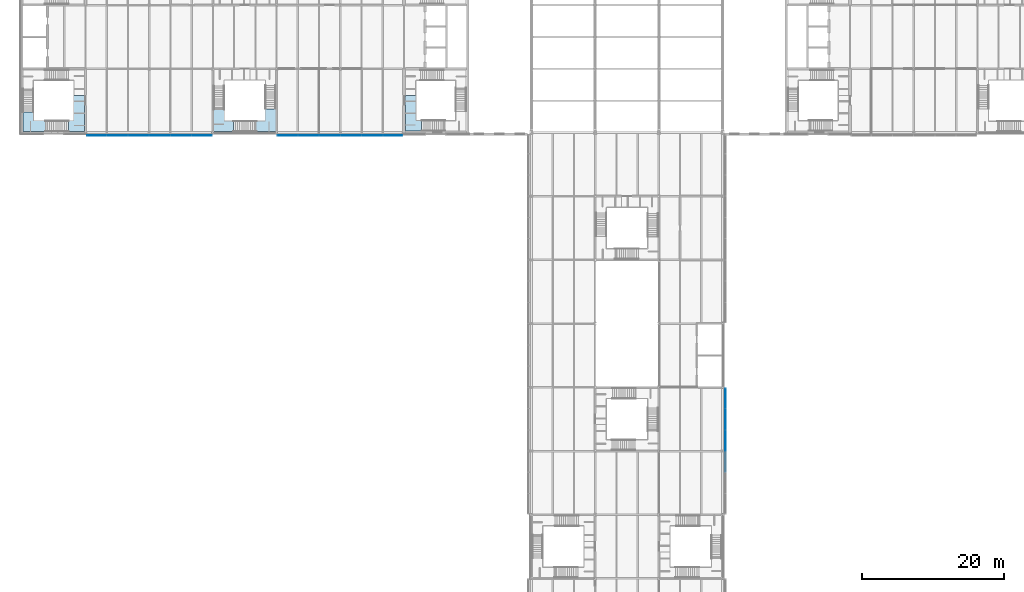
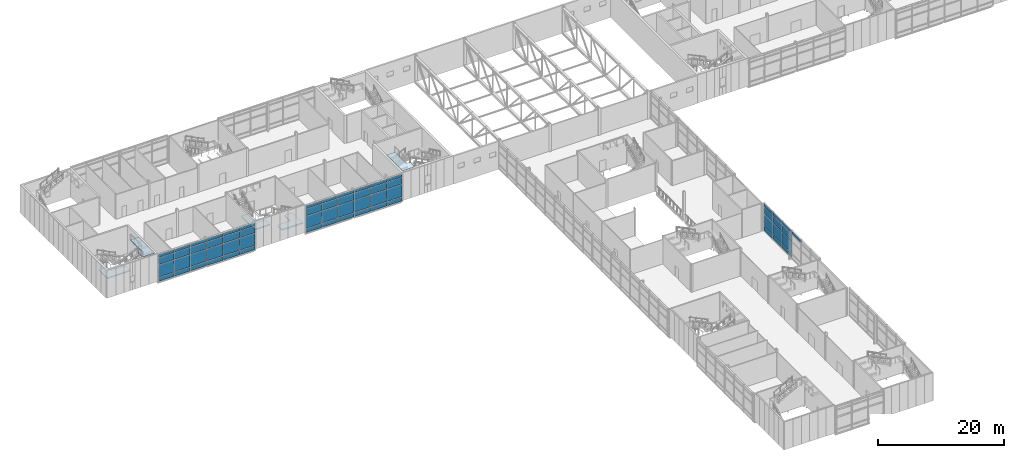
# One storey, part 30 of 53: 61 plates, 5 slabs, 6 elements without a shape of their own.
"""IFC4 building model written with IfcOpenShell, lengths in metres."""

from ifc_helpers import new_model, si_unit, direction, frame, origin, origin_2d, place, context, subcontext, project, spatial, polyline, rectangle, outline, extrude, material, layer, layer_set, type_object, element, aggregate, save


model = new_model("IFC4")

# Units and contexts
model_context = context("Model", 3, precision=1e-05, world=origin(), true_north=direction((0.0, 1.0)))
body_context = subcontext(model_context, "Body", "Model", "MODEL_VIEW")
ifc_project = project(units=[si_unit("LENGTHUNIT", "METRE"), si_unit("AREAUNIT", "SQUARE_METRE"), si_unit("VOLUMEUNIT", "CUBIC_METRE"), si_unit("PLANEANGLEUNIT", "RADIAN"), si_unit("MASSUNIT", "GRAM", prefix="KILO")], contexts=[model_context])

# Site, building, storey
site_placement = place(None, origin())
site = spatial("IfcSite", under=ifc_project, at=site_placement, CompositionType="ELEMENT")
building_placement = place(site_placement, origin())
building = spatial("IfcBuilding", under=site, at=building_placement, Name="Azimuth Sports and Learning Centre", CompositionType="ELEMENT")
storey_placement = place(building_placement, frame((0.0, 0.0, 10.800048828125)))
storey = spatial("IfcBuildingStorey", under=building, at=storey_placement, Name="L02", CompositionType="ELEMENT", Elevation=10.800048828125)

# Stair, slab
ifc_material_1 = material(Name="Concrete C32/40", Category="concrete")
stair_type_1 = type_object("IfcStairType", Name="Square-well stair core 5400 storey", PredefinedType="THREE_QUARTER_TURN_STAIR", material=ifc_material_1)
stair_1_placement = place(storey_placement, origin())
stair_1 = element("IfcStair", 1, at=stair_1_placement, inside=storey, type_object=stair_type_1, Name="Stair W1 L02-L03", PredefinedType="THREE_QUARTER_TURN_STAIR")
ifc_material_2 = material(Name="Concrete C32/40", Category="concrete")
ifc_layer_1 = layer(ifc_material_2, 0.199951171875)
ifc_layer_set_1 = layer_set([ifc_layer_1], Name="Concrete C32/40")
slab_type = type_object("IfcSlabType", Name="Concrete stair landing", PredefinedType="LANDING", material=ifc_layer_set_1)
slab_1_placement = place(storey_placement, frame((0.0, 0.0, 5.199951171875)))
slab_1 = element("IfcSlab", 2, at=slab_1_placement, type_object=slab_type, Name="Stair W1 L02 landing 4", PredefinedType="LANDING", context=body_context, shape_type="SweptSolid", body=[
    extrude(outline(polyline([(55.7099609375, 91.7099609375), (55.7099609375, 95.25), (54.2099609375, 95.25), (54.2099609375, 90.2099609375), (56.49072265625, 90.2099609375), (56.49072265625, 91.7099609375), (55.7099609375, 91.7099609375)])), origin(), (0.0, 0.0, 1.0), 0.199951171875),
])
aggregate(stair_1, [slab_1])

# Stair, slabs
ifc_material_3 = material(Name="Concrete C32/40", Category="concrete")
stair_type_2 = type_object("IfcStairType", Name="Square-well stair end core 5400 storey", PredefinedType="THREE_QUARTER_TURN_STAIR", material=ifc_material_3)
stair_2_placement = place(storey_placement, origin())
stair_2 = element("IfcStair", 3, at=stair_2_placement, inside=storey, type_object=stair_type_2, Name="Stair WW1 L02-L03", PredefinedType="THREE_QUARTER_TURN_STAIR")
slab_2_placement = place(storey_placement, frame((0.0, 0.0, 3.39990234375)))
slab_2 = element("IfcSlab", 4, at=slab_2_placement, type_object=slab_type, Name="Stair WW1 L02 landing 3", PredefinedType="LANDING", context=body_context, shape_type="SweptSolid", body=[
    extrude(outline(polyline([(1.659912109375, 91.659912109375), (1.659912109375, 92.86572265625), (0.159912109375, 92.86572265625), (0.159912109375, 90.159912109375), (4.409912109375, 90.159912109375), (4.409912109375, 91.659912109375), (1.659912109375, 91.659912109375)])), origin(), (0.0, 0.0, 1.0), 0.199951171875),
])
slab_3_placement = place(storey_placement, frame((0.0, 0.0, 5.199951171875)))
slab_3 = element("IfcSlab", 5, at=slab_3_placement, type_object=slab_type, Name="Stair WW1 L02 landing 4", PredefinedType="LANDING", context=body_context, shape_type="SweptSolid", body=[
    extrude(outline(polyline([(7.340087890625, 91.659912109375), (6.609375, 91.659912109375), (6.609375, 90.159912109375), (8.840087890625, 90.159912109375), (8.840087890625, 95.25), (7.340087890625, 95.25), (7.340087890625, 91.659912109375)])), origin(), (0.0, 0.0, 1.0), 0.199951171875),
])
aggregate(stair_2, [slab_2, slab_3])

ifc_material_4 = material(Name="Concrete C32/40", Category="concrete")
stair_type_3 = type_object("IfcStairType", Name="Square-well stair mid-wing cell 5400 storey", PredefinedType="THREE_QUARTER_TURN_STAIR", material=ifc_material_4)
stair_3_placement = place(storey_placement, origin())
stair_3 = element("IfcStair", 6, at=stair_3_placement, inside=storey, type_object=stair_type_3, Name="Stair WM1 L02-L03", PredefinedType="THREE_QUARTER_TURN_STAIR")
slab_4_placement = place(storey_placement, frame((0.0, 0.0, 1.599853515625)))
slab_4 = element("IfcSlab", 7, at=slab_4_placement, type_object=slab_type, Name="Stair WM1 L02 landing 2", PredefinedType="LANDING", context=body_context, shape_type="SweptSolid", body=[
    extrude(outline(polyline([(34.389892578125, 91.610107421875), (32.090087890625, 91.610107421875), (32.090087890625, 90.110107421875), (35.889892578125, 90.110107421875), (35.889892578125, 93.3408203125), (34.389892578125, 93.3408203125), (34.389892578125, 91.610107421875)])), origin(), (0.0, 0.0, 1.0), 0.2001953125),
])
slab_5_placement = place(storey_placement, frame((0.0, 0.0, 3.39990234375)))
slab_5 = element("IfcSlab", 8, at=slab_5_placement, type_object=slab_type, Name="Stair WM1 L02 landing 3", PredefinedType="LANDING", context=body_context, shape_type="SweptSolid", body=[
    extrude(outline(polyline([(28.610107421875, 91.610107421875), (28.610107421875, 94.360107421875), (27.110107421875, 94.360107421875), (27.110107421875, 90.110107421875), (29.890625, 90.110107421875), (29.890625, 91.610107421875), (28.610107421875, 91.610107421875)])), origin(), (0.0, 0.0, 1.0), 0.199951171875),
])
aggregate(stair_3, [slab_4, slab_5])

# Curtain wall, plates
ifc_material_5 = material(Name="Aluminium and glass", Category="aluminium")
curtain_wall_type_1 = type_object("IfcCurtainWallType", Name="Curtain wall podium wing 240", PredefinedType="NOTDEFINED", material=ifc_material_5)
curtain_wall_1_placement = place(storey_placement, origin())
curtain_wall_1 = element("IfcCurtainWall", 9, at=curtain_wall_1_placement, inside=storey, type_object=curtain_wall_type_1, Name="Curtain wall CW02-001", PredefinedType="NOTDEFINED")
ifc_material_6 = material(Name="Insulated aluminium panel", Category="aluminium")
ifc_layer_2 = layer(ifc_material_6, 0.06005859375)
ifc_layer_set_2 = layer_set([ifc_layer_2], Name="Insulated aluminium panel")
plate_type_1 = type_object("IfcPlateType", Name="Spandrel panel 60 mm", PredefinedType="CURTAIN_PANEL", material=ifc_layer_set_2)
plate_1_placement = place(storey_placement, frame((10.594970703125, 89.580078125, 0.1201171875), z_axis=(0.0, 0.0, 1.0), x_axis=(1.0, 0.0, 0.0)))
plate_1 = element("IfcPlate", 10, at=plate_1_placement, type_object=plate_type_1, Name="CW02-001 panel 1.1", PredefinedType="CURTAIN_PANEL", context=body_context, shape_type="SweptSolid", body=[
    extrude(rectangle(XDim=2.72998046875, YDim=0.06005859375, at=origin_2d()), origin(), (0.0, 0.0, 1.0), 0.719970703125),
])
plate_2_placement = place(storey_placement, frame((10.594970703125, 89.580078125, 4.760009765625), z_axis=(0.0, 0.0, 1.0), x_axis=(1.0, 0.0, 0.0)))
plate_2 = element("IfcPlate", 11, at=plate_2_placement, type_object=plate_type_1, Name="CW02-001 panel 1.4", PredefinedType="CURTAIN_PANEL", context=body_context, shape_type="SweptSolid", body=[
    extrude(rectangle(XDim=2.72998046875, YDim=0.06005859375, at=origin_2d()), origin(), (0.0, 0.0, 1.0), 0.52001953125),
])
plate_3_placement = place(storey_placement, frame((13.5, 89.580078125, 0.1201171875), z_axis=(0.0, 0.0, 1.0), x_axis=(1.0, 0.0, 0.0)))
plate_3 = element("IfcPlate", 12, at=plate_3_placement, type_object=plate_type_1, Name="CW02-001 panel 2.1", PredefinedType="CURTAIN_PANEL", context=body_context, shape_type="SweptSolid", body=[
    extrude(rectangle(XDim=2.919921875, YDim=0.06005859375, at=origin_2d()), origin(), (0.0, 0.0, 1.0), 0.719970703125),
])
plate_4_placement = place(storey_placement, frame((13.5, 89.580078125, 4.760009765625), z_axis=(0.0, 0.0, 1.0), x_axis=(1.0, 0.0, 0.0)))
plate_4 = element("IfcPlate", 13, at=plate_4_placement, type_object=plate_type_1, Name="CW02-001 panel 2.4", PredefinedType="CURTAIN_PANEL", context=body_context, shape_type="SweptSolid", body=[
    extrude(rectangle(XDim=2.919921875, YDim=0.06005859375, at=origin_2d()), origin(), (0.0, 0.0, 1.0), 0.52001953125),
])
plate_5_placement = place(storey_placement, frame((16.5, 89.580078125, 0.1201171875), z_axis=(0.0, 0.0, 1.0), x_axis=(1.0, 0.0, 0.0)))
plate_5 = element("IfcPlate", 14, at=plate_5_placement, type_object=plate_type_1, Name="CW02-001 panel 3.1", PredefinedType="CURTAIN_PANEL", context=body_context, shape_type="SweptSolid", body=[
    extrude(rectangle(XDim=2.919921875, YDim=0.06005859375, at=origin_2d()), origin(), (0.0, 0.0, 1.0), 0.719970703125),
])
plate_6_placement = place(storey_placement, frame((16.5, 89.580078125, 4.760009765625), z_axis=(0.0, 0.0, 1.0), x_axis=(1.0, 0.0, 0.0)))
plate_6 = element("IfcPlate", 15, at=plate_6_placement, type_object=plate_type_1, Name="CW02-001 panel 3.4", PredefinedType="CURTAIN_PANEL", context=body_context, shape_type="SweptSolid", body=[
    extrude(rectangle(XDim=2.919921875, YDim=0.06005859375, at=origin_2d()), origin(), (0.0, 0.0, 1.0), 0.52001953125),
])
plate_7_placement = place(storey_placement, frame((19.5, 89.580078125, 0.1201171875), z_axis=(0.0, 0.0, 1.0), x_axis=(1.0, 0.0, 0.0)))
plate_7 = element("IfcPlate", 16, at=plate_7_placement, type_object=plate_type_1, Name="CW02-001 panel 4.1", PredefinedType="CURTAIN_PANEL", context=body_context, shape_type="SweptSolid", body=[
    extrude(rectangle(XDim=2.919921875, YDim=0.06005859375, at=origin_2d()), origin(), (0.0, 0.0, 1.0), 0.719970703125),
])
plate_8_placement = place(storey_placement, frame((19.5, 89.580078125, 4.760009765625), z_axis=(0.0, 0.0, 1.0), x_axis=(1.0, 0.0, 0.0)))
plate_8 = element("IfcPlate", 17, at=plate_8_placement, type_object=plate_type_1, Name="CW02-001 panel 4.4", PredefinedType="CURTAIN_PANEL", context=body_context, shape_type="SweptSolid", body=[
    extrude(rectangle(XDim=2.919921875, YDim=0.06005859375, at=origin_2d()), origin(), (0.0, 0.0, 1.0), 0.52001953125),
])
plate_9_placement = place(storey_placement, frame((22.5, 89.580078125, 0.1201171875), z_axis=(0.0, 0.0, 1.0), x_axis=(1.0, 0.0, 0.0)))
plate_9 = element("IfcPlate", 18, at=plate_9_placement, type_object=plate_type_1, Name="CW02-001 panel 5.1", PredefinedType="CURTAIN_PANEL", context=body_context, shape_type="SweptSolid", body=[
    extrude(rectangle(XDim=2.919921875, YDim=0.06005859375, at=origin_2d()), origin(), (0.0, 0.0, 1.0), 0.719970703125),
])
plate_10_placement = place(storey_placement, frame((22.5, 89.580078125, 4.760009765625), z_axis=(0.0, 0.0, 1.0), x_axis=(1.0, 0.0, 0.0)))
plate_10 = element("IfcPlate", 19, at=plate_10_placement, type_object=plate_type_1, Name="CW02-001 panel 5.4", PredefinedType="CURTAIN_PANEL", context=body_context, shape_type="SweptSolid", body=[
    extrude(rectangle(XDim=2.919921875, YDim=0.06005859375, at=origin_2d()), origin(), (0.0, 0.0, 1.0), 0.52001953125),
])
plate_11_placement = place(storey_placement, frame((25.429931640625, 89.580078125, 0.1201171875), z_axis=(0.0, 0.0, 1.0), x_axis=(1.0, 0.0, 0.0)))
plate_11 = element("IfcPlate", 20, at=plate_11_placement, type_object=plate_type_1, Name="CW02-001 panel 6.1", PredefinedType="CURTAIN_PANEL", context=body_context, shape_type="SweptSolid", body=[
    extrude(rectangle(XDim=2.780029296875, YDim=0.06005859375, at=origin_2d()), origin(), (0.0, 0.0, 1.0), 0.719970703125),
])
plate_12_placement = place(storey_placement, frame((25.429931640625, 89.580078125, 4.760009765625), z_axis=(0.0, 0.0, 1.0), x_axis=(1.0, 0.0, 0.0)))
plate_12 = element("IfcPlate", 21, at=plate_12_placement, type_object=plate_type_1, Name="CW02-001 panel 6.4", PredefinedType="CURTAIN_PANEL", context=body_context, shape_type="SweptSolid", body=[
    extrude(rectangle(XDim=2.780029296875, YDim=0.06005859375, at=origin_2d()), origin(), (0.0, 0.0, 1.0), 0.52001953125),
])

curtain_wall_2_placement = place(storey_placement, origin())
curtain_wall_2 = element("IfcCurtainWall", 22, at=curtain_wall_2_placement, inside=storey, type_object=curtain_wall_type_1, Name="Curtain wall CW02-002", PredefinedType="NOTDEFINED")
plate_13_placement = place(storey_placement, frame((37.570068359375, 89.580078125, 0.1201171875), z_axis=(0.0, 0.0, 1.0), x_axis=(1.0, 0.0, 0.0)))
plate_13 = element("IfcPlate", 23, at=plate_13_placement, type_object=plate_type_1, Name="CW02-002 panel 1.1", PredefinedType="CURTAIN_PANEL", context=body_context, shape_type="SweptSolid", body=[
    extrude(rectangle(XDim=2.780029296875, YDim=0.06005859375, at=origin_2d()), origin(), (0.0, 0.0, 1.0), 0.719970703125),
])
plate_14_placement = place(storey_placement, frame((37.570068359375, 89.580078125, 4.760009765625), z_axis=(0.0, 0.0, 1.0), x_axis=(1.0, 0.0, 0.0)))
plate_14 = element("IfcPlate", 24, at=plate_14_placement, type_object=plate_type_1, Name="CW02-002 panel 1.4", PredefinedType="CURTAIN_PANEL", context=body_context, shape_type="SweptSolid", body=[
    extrude(rectangle(XDim=2.780029296875, YDim=0.06005859375, at=origin_2d()), origin(), (0.0, 0.0, 1.0), 0.52001953125),
])
plate_15_placement = place(storey_placement, frame((40.5, 89.580078125, 0.1201171875), z_axis=(0.0, 0.0, 1.0), x_axis=(1.0, 0.0, 0.0)))
plate_15 = element("IfcPlate", 25, at=plate_15_placement, type_object=plate_type_1, Name="CW02-002 panel 2.1", PredefinedType="CURTAIN_PANEL", context=body_context, shape_type="SweptSolid", body=[
    extrude(rectangle(XDim=2.919921875, YDim=0.06005859375, at=origin_2d()), origin(), (0.0, 0.0, 1.0), 0.719970703125),
])
plate_16_placement = place(storey_placement, frame((40.5, 89.580078125, 4.760009765625), z_axis=(0.0, 0.0, 1.0), x_axis=(1.0, 0.0, 0.0)))
plate_16 = element("IfcPlate", 26, at=plate_16_placement, type_object=plate_type_1, Name="CW02-002 panel 2.4", PredefinedType="CURTAIN_PANEL", context=body_context, shape_type="SweptSolid", body=[
    extrude(rectangle(XDim=2.919921875, YDim=0.06005859375, at=origin_2d()), origin(), (0.0, 0.0, 1.0), 0.52001953125),
])
plate_17_placement = place(storey_placement, frame((43.5, 89.580078125, 0.1201171875), z_axis=(0.0, 0.0, 1.0), x_axis=(1.0, 0.0, 0.0)))
plate_17 = element("IfcPlate", 27, at=plate_17_placement, type_object=plate_type_1, Name="CW02-002 panel 3.1", PredefinedType="CURTAIN_PANEL", context=body_context, shape_type="SweptSolid", body=[
    extrude(rectangle(XDim=2.919921875, YDim=0.06005859375, at=origin_2d()), origin(), (0.0, 0.0, 1.0), 0.719970703125),
])
plate_18_placement = place(storey_placement, frame((43.5, 89.580078125, 4.760009765625), z_axis=(0.0, 0.0, 1.0), x_axis=(1.0, 0.0, 0.0)))
plate_18 = element("IfcPlate", 28, at=plate_18_placement, type_object=plate_type_1, Name="CW02-002 panel 3.4", PredefinedType="CURTAIN_PANEL", context=body_context, shape_type="SweptSolid", body=[
    extrude(rectangle(XDim=2.919921875, YDim=0.06005859375, at=origin_2d()), origin(), (0.0, 0.0, 1.0), 0.52001953125),
])
plate_19_placement = place(storey_placement, frame((46.5, 89.580078125, 0.1201171875), z_axis=(0.0, 0.0, 1.0), x_axis=(1.0, 0.0, 0.0)))
plate_19 = element("IfcPlate", 29, at=plate_19_placement, type_object=plate_type_1, Name="CW02-002 panel 4.1", PredefinedType="CURTAIN_PANEL", context=body_context, shape_type="SweptSolid", body=[
    extrude(rectangle(XDim=2.919921875, YDim=0.06005859375, at=origin_2d()), origin(), (0.0, 0.0, 1.0), 0.719970703125),
])
plate_20_placement = place(storey_placement, frame((46.5, 89.580078125, 4.760009765625), z_axis=(0.0, 0.0, 1.0), x_axis=(1.0, 0.0, 0.0)))
plate_20 = element("IfcPlate", 30, at=plate_20_placement, type_object=plate_type_1, Name="CW02-002 panel 4.4", PredefinedType="CURTAIN_PANEL", context=body_context, shape_type="SweptSolid", body=[
    extrude(rectangle(XDim=2.919921875, YDim=0.06005859375, at=origin_2d()), origin(), (0.0, 0.0, 1.0), 0.52001953125),
])
plate_21_placement = place(storey_placement, frame((49.5, 89.580078125, 0.1201171875), z_axis=(0.0, 0.0, 1.0), x_axis=(1.0, 0.0, 0.0)))
plate_21 = element("IfcPlate", 31, at=plate_21_placement, type_object=plate_type_1, Name="CW02-002 panel 5.1", PredefinedType="CURTAIN_PANEL", context=body_context, shape_type="SweptSolid", body=[
    extrude(rectangle(XDim=2.919921875, YDim=0.06005859375, at=origin_2d()), origin(), (0.0, 0.0, 1.0), 0.719970703125),
])
plate_22_placement = place(storey_placement, frame((49.5, 89.580078125, 4.760009765625), z_axis=(0.0, 0.0, 1.0), x_axis=(1.0, 0.0, 0.0)))
plate_22 = element("IfcPlate", 32, at=plate_22_placement, type_object=plate_type_1, Name="CW02-002 panel 5.4", PredefinedType="CURTAIN_PANEL", context=body_context, shape_type="SweptSolid", body=[
    extrude(rectangle(XDim=2.919921875, YDim=0.06005859375, at=origin_2d()), origin(), (0.0, 0.0, 1.0), 0.52001953125),
])
plate_23_placement = place(storey_placement, frame((52.3798828125, 89.580078125, 0.1201171875), z_axis=(0.0, 0.0, 1.0), x_axis=(1.0, 0.0, 0.0)))
plate_23 = element("IfcPlate", 33, at=plate_23_placement, type_object=plate_type_1, Name="CW02-002 panel 6.1", PredefinedType="CURTAIN_PANEL", context=body_context, shape_type="SweptSolid", body=[
    extrude(rectangle(XDim=2.679931640625, YDim=0.06005859375, at=origin_2d()), origin(), (0.0, 0.0, 1.0), 0.719970703125),
])
plate_24_placement = place(storey_placement, frame((52.3798828125, 89.580078125, 4.760009765625), z_axis=(0.0, 0.0, 1.0), x_axis=(1.0, 0.0, 0.0)))
plate_24 = element("IfcPlate", 34, at=plate_24_placement, type_object=plate_type_1, Name="CW02-002 panel 6.4", PredefinedType="CURTAIN_PANEL", context=body_context, shape_type="SweptSolid", body=[
    extrude(rectangle(XDim=2.679931640625, YDim=0.06005859375, at=origin_2d()), origin(), (0.0, 0.0, 1.0), 0.52001953125),
])

ifc_material_7 = material(Name="Aluminium and glass", Category="aluminium")
curtain_wall_type_2 = type_object("IfcCurtainWallType", Name="Curtain wall podium stem 240", PredefinedType="NOTDEFINED", material=ifc_material_7)
curtain_wall_3_placement = place(storey_placement, origin())
curtain_wall_3 = element("IfcCurtainWall", 35, at=curtain_wall_3_placement, inside=storey, type_object=curtain_wall_type_2, Name="Curtain wall CW02-007", PredefinedType="NOTDEFINED")
plate_25_placement = place(storey_placement, frame((99.419921875, 43.5, 4.760009765625), z_axis=(0.0, 0.0, 1.0), x_axis=(0.0, 1.0, 0.0)))
plate_25 = element("IfcPlate", 36, at=plate_25_placement, type_object=plate_type_1, Name="CW02-007 panel 3.4", PredefinedType="CURTAIN_PANEL", context=body_context, shape_type="SweptSolid", body=[
    extrude(rectangle(XDim=2.919921875, YDim=0.06005859375, at=origin_2d()), origin(), (0.0, 0.0, 1.0), 0.52001953125),
])
plate_26_placement = place(storey_placement, frame((99.419921875, 46.5, 0.1201171875), z_axis=(0.0, 0.0, 1.0), x_axis=(0.0, 1.0, 0.0)))
plate_26 = element("IfcPlate", 37, at=plate_26_placement, type_object=plate_type_1, Name="CW02-007 panel 4.1", PredefinedType="CURTAIN_PANEL", context=body_context, shape_type="SweptSolid", body=[
    extrude(rectangle(XDim=2.919921875, YDim=0.06005859375, at=origin_2d()), origin(), (0.0, 0.0, 1.0), 0.719970703125),
])
plate_27_placement = place(storey_placement, frame((99.419921875, 46.5, 4.760009765625), z_axis=(0.0, 0.0, 1.0), x_axis=(0.0, 1.0, 0.0)))
plate_27 = element("IfcPlate", 38, at=plate_27_placement, type_object=plate_type_1, Name="CW02-007 panel 4.4", PredefinedType="CURTAIN_PANEL", context=body_context, shape_type="SweptSolid", body=[
    extrude(rectangle(XDim=2.919921875, YDim=0.06005859375, at=origin_2d()), origin(), (0.0, 0.0, 1.0), 0.52001953125),
])
plate_28_placement = place(storey_placement, frame((99.419921875, 49.5, 0.1201171875), z_axis=(0.0, 0.0, 1.0), x_axis=(0.0, 1.0, 0.0)))
plate_28 = element("IfcPlate", 39, at=plate_28_placement, type_object=plate_type_1, Name="CW02-007 panel 5.1", PredefinedType="CURTAIN_PANEL", context=body_context, shape_type="SweptSolid", body=[
    extrude(rectangle(XDim=2.919921875, YDim=0.06005859375, at=origin_2d()), origin(), (0.0, 0.0, 1.0), 0.719970703125),
])
plate_29_placement = place(storey_placement, frame((99.419921875, 49.5, 4.760009765625), z_axis=(0.0, 0.0, 1.0), x_axis=(0.0, 1.0, 0.0)))
plate_29 = element("IfcPlate", 40, at=plate_29_placement, type_object=plate_type_1, Name="CW02-007 panel 5.4", PredefinedType="CURTAIN_PANEL", context=body_context, shape_type="SweptSolid", body=[
    extrude(rectangle(XDim=2.919921875, YDim=0.06005859375, at=origin_2d()), origin(), (0.0, 0.0, 1.0), 0.52001953125),
])
plate_30_placement = place(storey_placement, frame((99.419921875, 52.429931640625, 0.1201171875), z_axis=(0.0, 0.0, 1.0), x_axis=(0.0, 1.0, 0.0)))
plate_30 = element("IfcPlate", 41, at=plate_30_placement, type_object=plate_type_1, Name="CW02-007 panel 6.1", PredefinedType="CURTAIN_PANEL", context=body_context, shape_type="SweptSolid", body=[
    extrude(rectangle(XDim=2.780029296875, YDim=0.06005859375, at=origin_2d()), origin(), (0.0, 0.0, 1.0), 0.719970703125),
])
plate_31_placement = place(storey_placement, frame((99.419921875, 52.429931640625, 4.760009765625), z_axis=(0.0, 0.0, 1.0), x_axis=(0.0, 1.0, 0.0)))
plate_31 = element("IfcPlate", 42, at=plate_31_placement, type_object=plate_type_1, Name="CW02-007 panel 6.4", PredefinedType="CURTAIN_PANEL", context=body_context, shape_type="SweptSolid", body=[
    extrude(rectangle(XDim=2.780029296875, YDim=0.06005859375, at=origin_2d()), origin(), (0.0, 0.0, 1.0), 0.52001953125),
])

# Plate
ifc_material_8 = material(Name="Glass", Category="glass")
ifc_layer_3 = layer(ifc_material_8, 0.0439453125)
ifc_layer_set_3 = layer_set([ifc_layer_3], Name="Glass")
plate_type_2 = type_object("IfcPlateType", Name="Vision glass 44 mm", PredefinedType="CURTAIN_PANEL", material=ifc_layer_set_3)
plate_32_placement = place(storey_placement, frame((10.594970703125, 89.580078125, 0.9599609375), z_axis=(0.0, 0.0, 1.0), x_axis=(1.0, 0.0, 0.0)))
plate_32 = element("IfcPlate", 43, at=plate_32_placement, type_object=plate_type_2, Name="CW02-001 panel 1.2", PredefinedType="CURTAIN_PANEL", context=body_context, shape_type="SweptSolid", body=[
    extrude(rectangle(XDim=2.72998046875, YDim=0.0439453125, at=origin_2d()), origin(), (0.0, 0.0, 1.0), 2.280029296875),
])

plate_33_placement = place(storey_placement, frame((10.594970703125, 89.580078125, 3.35986328125), z_axis=(0.0, 0.0, 1.0), x_axis=(1.0, 0.0, 0.0)))
plate_33 = element("IfcPlate", 44, at=plate_33_placement, type_object=plate_type_2, Name="CW02-001 panel 1.3", PredefinedType="CURTAIN_PANEL", context=body_context, shape_type="SweptSolid", body=[
    extrude(rectangle(XDim=2.72998046875, YDim=0.0439453125, at=origin_2d()), origin(), (0.0, 0.0, 1.0), 1.280029296875),
])

plate_34_placement = place(storey_placement, frame((13.5, 89.580078125, 0.9599609375), z_axis=(0.0, 0.0, 1.0), x_axis=(1.0, 0.0, 0.0)))
plate_34 = element("IfcPlate", 45, at=plate_34_placement, type_object=plate_type_2, Name="CW02-001 panel 2.2", PredefinedType="CURTAIN_PANEL", context=body_context, shape_type="SweptSolid", body=[
    extrude(rectangle(XDim=2.919921875, YDim=0.0439453125, at=origin_2d()), origin(), (0.0, 0.0, 1.0), 2.280029296875),
])

plate_35_placement = place(storey_placement, frame((13.5, 89.580078125, 3.35986328125), z_axis=(0.0, 0.0, 1.0), x_axis=(1.0, 0.0, 0.0)))
plate_35 = element("IfcPlate", 46, at=plate_35_placement, type_object=plate_type_2, Name="CW02-001 panel 2.3", PredefinedType="CURTAIN_PANEL", context=body_context, shape_type="SweptSolid", body=[
    extrude(rectangle(XDim=2.919921875, YDim=0.0439453125, at=origin_2d()), origin(), (0.0, 0.0, 1.0), 1.280029296875),
])

plate_36_placement = place(storey_placement, frame((16.5, 89.580078125, 0.9599609375), z_axis=(0.0, 0.0, 1.0), x_axis=(1.0, 0.0, 0.0)))
plate_36 = element("IfcPlate", 47, at=plate_36_placement, type_object=plate_type_2, Name="CW02-001 panel 3.2", PredefinedType="CURTAIN_PANEL", context=body_context, shape_type="SweptSolid", body=[
    extrude(rectangle(XDim=2.919921875, YDim=0.0439453125, at=origin_2d()), origin(), (0.0, 0.0, 1.0), 2.280029296875),
])

plate_37_placement = place(storey_placement, frame((16.5, 89.580078125, 3.35986328125), z_axis=(0.0, 0.0, 1.0), x_axis=(1.0, 0.0, 0.0)))
plate_37 = element("IfcPlate", 48, at=plate_37_placement, type_object=plate_type_2, Name="CW02-001 panel 3.3", PredefinedType="CURTAIN_PANEL", context=body_context, shape_type="SweptSolid", body=[
    extrude(rectangle(XDim=2.919921875, YDim=0.0439453125, at=origin_2d()), origin(), (0.0, 0.0, 1.0), 1.280029296875),
])

plate_38_placement = place(storey_placement, frame((19.5, 89.580078125, 0.9599609375), z_axis=(0.0, 0.0, 1.0), x_axis=(1.0, 0.0, 0.0)))
plate_38 = element("IfcPlate", 49, at=plate_38_placement, type_object=plate_type_2, Name="CW02-001 panel 4.2", PredefinedType="CURTAIN_PANEL", context=body_context, shape_type="SweptSolid", body=[
    extrude(rectangle(XDim=2.919921875, YDim=0.0439453125, at=origin_2d()), origin(), (0.0, 0.0, 1.0), 2.280029296875),
])

plate_39_placement = place(storey_placement, frame((19.5, 89.580078125, 3.35986328125), z_axis=(0.0, 0.0, 1.0), x_axis=(1.0, 0.0, 0.0)))
plate_39 = element("IfcPlate", 50, at=plate_39_placement, type_object=plate_type_2, Name="CW02-001 panel 4.3", PredefinedType="CURTAIN_PANEL", context=body_context, shape_type="SweptSolid", body=[
    extrude(rectangle(XDim=2.919921875, YDim=0.0439453125, at=origin_2d()), origin(), (0.0, 0.0, 1.0), 1.280029296875),
])

plate_40_placement = place(storey_placement, frame((22.5, 89.580078125, 0.9599609375), z_axis=(0.0, 0.0, 1.0), x_axis=(1.0, 0.0, 0.0)))
plate_40 = element("IfcPlate", 51, at=plate_40_placement, type_object=plate_type_2, Name="CW02-001 panel 5.2", PredefinedType="CURTAIN_PANEL", context=body_context, shape_type="SweptSolid", body=[
    extrude(rectangle(XDim=2.919921875, YDim=0.0439453125, at=origin_2d()), origin(), (0.0, 0.0, 1.0), 2.280029296875),
])

plate_41_placement = place(storey_placement, frame((22.5, 89.580078125, 3.35986328125), z_axis=(0.0, 0.0, 1.0), x_axis=(1.0, 0.0, 0.0)))
plate_41 = element("IfcPlate", 52, at=plate_41_placement, type_object=plate_type_2, Name="CW02-001 panel 5.3", PredefinedType="CURTAIN_PANEL", context=body_context, shape_type="SweptSolid", body=[
    extrude(rectangle(XDim=2.919921875, YDim=0.0439453125, at=origin_2d()), origin(), (0.0, 0.0, 1.0), 1.280029296875),
])

plate_42_placement = place(storey_placement, frame((25.429931640625, 89.580078125, 0.9599609375), z_axis=(0.0, 0.0, 1.0), x_axis=(1.0, 0.0, 0.0)))
plate_42 = element("IfcPlate", 53, at=plate_42_placement, type_object=plate_type_2, Name="CW02-001 panel 6.2", PredefinedType="CURTAIN_PANEL", context=body_context, shape_type="SweptSolid", body=[
    extrude(rectangle(XDim=2.780029296875, YDim=0.0439453125, at=origin_2d()), origin(), (0.0, 0.0, 1.0), 2.280029296875),
])

plate_43_placement = place(storey_placement, frame((25.429931640625, 89.580078125, 3.35986328125), z_axis=(0.0, 0.0, 1.0), x_axis=(1.0, 0.0, 0.0)))
plate_43 = element("IfcPlate", 54, at=plate_43_placement, type_object=plate_type_2, Name="CW02-001 panel 6.3", PredefinedType="CURTAIN_PANEL", context=body_context, shape_type="SweptSolid", body=[
    extrude(rectangle(XDim=2.780029296875, YDim=0.0439453125, at=origin_2d()), origin(), (0.0, 0.0, 1.0), 1.280029296875),
])

aggregate(curtain_wall_1, [plate_1, plate_32, plate_33, plate_2, plate_3, plate_34, plate_35, plate_4, plate_5, plate_36, plate_37, plate_6, plate_7, plate_38, plate_39, plate_8, plate_9, plate_40, plate_41, plate_10, plate_11, plate_42, plate_43, plate_12])

plate_44_placement = place(storey_placement, frame((37.570068359375, 89.580078125, 0.9599609375), z_axis=(0.0, 0.0, 1.0), x_axis=(1.0, 0.0, 0.0)))
plate_44 = element("IfcPlate", 55, at=plate_44_placement, type_object=plate_type_2, Name="CW02-002 panel 1.2", PredefinedType="CURTAIN_PANEL", context=body_context, shape_type="SweptSolid", body=[
    extrude(rectangle(XDim=2.780029296875, YDim=0.0439453125, at=origin_2d()), origin(), (0.0, 0.0, 1.0), 2.280029296875),
])

plate_45_placement = place(storey_placement, frame((37.570068359375, 89.580078125, 3.35986328125), z_axis=(0.0, 0.0, 1.0), x_axis=(1.0, 0.0, 0.0)))
plate_45 = element("IfcPlate", 56, at=plate_45_placement, type_object=plate_type_2, Name="CW02-002 panel 1.3", PredefinedType="CURTAIN_PANEL", context=body_context, shape_type="SweptSolid", body=[
    extrude(rectangle(XDim=2.780029296875, YDim=0.0439453125, at=origin_2d()), origin(), (0.0, 0.0, 1.0), 1.280029296875),
])

plate_46_placement = place(storey_placement, frame((40.5, 89.580078125, 0.9599609375), z_axis=(0.0, 0.0, 1.0), x_axis=(1.0, 0.0, 0.0)))
plate_46 = element("IfcPlate", 57, at=plate_46_placement, type_object=plate_type_2, Name="CW02-002 panel 2.2", PredefinedType="CURTAIN_PANEL", context=body_context, shape_type="SweptSolid", body=[
    extrude(rectangle(XDim=2.919921875, YDim=0.0439453125, at=origin_2d()), origin(), (0.0, 0.0, 1.0), 2.280029296875),
])

plate_47_placement = place(storey_placement, frame((40.5, 89.580078125, 3.35986328125), z_axis=(0.0, 0.0, 1.0), x_axis=(1.0, 0.0, 0.0)))
plate_47 = element("IfcPlate", 58, at=plate_47_placement, type_object=plate_type_2, Name="CW02-002 panel 2.3", PredefinedType="CURTAIN_PANEL", context=body_context, shape_type="SweptSolid", body=[
    extrude(rectangle(XDim=2.919921875, YDim=0.0439453125, at=origin_2d()), origin(), (0.0, 0.0, 1.0), 1.280029296875),
])

plate_48_placement = place(storey_placement, frame((43.5, 89.580078125, 0.9599609375), z_axis=(0.0, 0.0, 1.0), x_axis=(1.0, 0.0, 0.0)))
plate_48 = element("IfcPlate", 59, at=plate_48_placement, type_object=plate_type_2, Name="CW02-002 panel 3.2", PredefinedType="CURTAIN_PANEL", context=body_context, shape_type="SweptSolid", body=[
    extrude(rectangle(XDim=2.919921875, YDim=0.0439453125, at=origin_2d()), origin(), (0.0, 0.0, 1.0), 2.280029296875),
])

plate_49_placement = place(storey_placement, frame((43.5, 89.580078125, 3.35986328125), z_axis=(0.0, 0.0, 1.0), x_axis=(1.0, 0.0, 0.0)))
plate_49 = element("IfcPlate", 60, at=plate_49_placement, type_object=plate_type_2, Name="CW02-002 panel 3.3", PredefinedType="CURTAIN_PANEL", context=body_context, shape_type="SweptSolid", body=[
    extrude(rectangle(XDim=2.919921875, YDim=0.0439453125, at=origin_2d()), origin(), (0.0, 0.0, 1.0), 1.280029296875),
])

plate_50_placement = place(storey_placement, frame((46.5, 89.580078125, 0.9599609375), z_axis=(0.0, 0.0, 1.0), x_axis=(1.0, 0.0, 0.0)))
plate_50 = element("IfcPlate", 61, at=plate_50_placement, type_object=plate_type_2, Name="CW02-002 panel 4.2", PredefinedType="CURTAIN_PANEL", context=body_context, shape_type="SweptSolid", body=[
    extrude(rectangle(XDim=2.919921875, YDim=0.0439453125, at=origin_2d()), origin(), (0.0, 0.0, 1.0), 2.280029296875),
])

plate_51_placement = place(storey_placement, frame((46.5, 89.580078125, 3.35986328125), z_axis=(0.0, 0.0, 1.0), x_axis=(1.0, 0.0, 0.0)))
plate_51 = element("IfcPlate", 62, at=plate_51_placement, type_object=plate_type_2, Name="CW02-002 panel 4.3", PredefinedType="CURTAIN_PANEL", context=body_context, shape_type="SweptSolid", body=[
    extrude(rectangle(XDim=2.919921875, YDim=0.0439453125, at=origin_2d()), origin(), (0.0, 0.0, 1.0), 1.280029296875),
])

plate_52_placement = place(storey_placement, frame((49.5, 89.580078125, 0.9599609375), z_axis=(0.0, 0.0, 1.0), x_axis=(1.0, 0.0, 0.0)))
plate_52 = element("IfcPlate", 63, at=plate_52_placement, type_object=plate_type_2, Name="CW02-002 panel 5.2", PredefinedType="CURTAIN_PANEL", context=body_context, shape_type="SweptSolid", body=[
    extrude(rectangle(XDim=2.919921875, YDim=0.0439453125, at=origin_2d()), origin(), (0.0, 0.0, 1.0), 2.280029296875),
])

plate_53_placement = place(storey_placement, frame((49.5, 89.580078125, 3.35986328125), z_axis=(0.0, 0.0, 1.0), x_axis=(1.0, 0.0, 0.0)))
plate_53 = element("IfcPlate", 64, at=plate_53_placement, type_object=plate_type_2, Name="CW02-002 panel 5.3", PredefinedType="CURTAIN_PANEL", context=body_context, shape_type="SweptSolid", body=[
    extrude(rectangle(XDim=2.919921875, YDim=0.0439453125, at=origin_2d()), origin(), (0.0, 0.0, 1.0), 1.280029296875),
])

plate_54_placement = place(storey_placement, frame((52.3798828125, 89.580078125, 0.9599609375), z_axis=(0.0, 0.0, 1.0), x_axis=(1.0, 0.0, 0.0)))
plate_54 = element("IfcPlate", 65, at=plate_54_placement, type_object=plate_type_2, Name="CW02-002 panel 6.2", PredefinedType="CURTAIN_PANEL", context=body_context, shape_type="SweptSolid", body=[
    extrude(rectangle(XDim=2.679931640625, YDim=0.0439453125, at=origin_2d()), origin(), (0.0, 0.0, 1.0), 2.280029296875),
])

plate_55_placement = place(storey_placement, frame((52.3798828125, 89.580078125, 3.35986328125), z_axis=(0.0, 0.0, 1.0), x_axis=(1.0, 0.0, 0.0)))
plate_55 = element("IfcPlate", 66, at=plate_55_placement, type_object=plate_type_2, Name="CW02-002 panel 6.3", PredefinedType="CURTAIN_PANEL", context=body_context, shape_type="SweptSolid", body=[
    extrude(rectangle(XDim=2.679931640625, YDim=0.0439453125, at=origin_2d()), origin(), (0.0, 0.0, 1.0), 1.280029296875),
])

aggregate(curtain_wall_2, [plate_13, plate_44, plate_45, plate_14, plate_15, plate_46, plate_47, plate_16, plate_17, plate_48, plate_49, plate_18, plate_19, plate_50, plate_51, plate_20, plate_21, plate_52, plate_53, plate_22, plate_23, plate_54, plate_55, plate_24])

plate_56_placement = place(storey_placement, frame((99.419921875, 46.5, 0.9599609375), z_axis=(0.0, 0.0, 1.0), x_axis=(0.0, 1.0, 0.0)))
plate_56 = element("IfcPlate", 67, at=plate_56_placement, type_object=plate_type_2, Name="CW02-007 panel 4.2", PredefinedType="CURTAIN_PANEL", context=body_context, shape_type="SweptSolid", body=[
    extrude(rectangle(XDim=2.919921875, YDim=0.0439453125, at=origin_2d()), origin(), (0.0, 0.0, 1.0), 2.280029296875),
])

plate_57_placement = place(storey_placement, frame((99.419921875, 46.5, 3.35986328125), z_axis=(0.0, 0.0, 1.0), x_axis=(0.0, 1.0, 0.0)))
plate_57 = element("IfcPlate", 68, at=plate_57_placement, type_object=plate_type_2, Name="CW02-007 panel 4.3", PredefinedType="CURTAIN_PANEL", context=body_context, shape_type="SweptSolid", body=[
    extrude(rectangle(XDim=2.919921875, YDim=0.0439453125, at=origin_2d()), origin(), (0.0, 0.0, 1.0), 1.280029296875),
])

plate_58_placement = place(storey_placement, frame((99.419921875, 49.5, 0.9599609375), z_axis=(0.0, 0.0, 1.0), x_axis=(0.0, 1.0, 0.0)))
plate_58 = element("IfcPlate", 69, at=plate_58_placement, type_object=plate_type_2, Name="CW02-007 panel 5.2", PredefinedType="CURTAIN_PANEL", context=body_context, shape_type="SweptSolid", body=[
    extrude(rectangle(XDim=2.919921875, YDim=0.0439453125, at=origin_2d()), origin(), (0.0, 0.0, 1.0), 2.280029296875),
])

plate_59_placement = place(storey_placement, frame((99.419921875, 49.5, 3.35986328125), z_axis=(0.0, 0.0, 1.0), x_axis=(0.0, 1.0, 0.0)))
plate_59 = element("IfcPlate", 70, at=plate_59_placement, type_object=plate_type_2, Name="CW02-007 panel 5.3", PredefinedType="CURTAIN_PANEL", context=body_context, shape_type="SweptSolid", body=[
    extrude(rectangle(XDim=2.919921875, YDim=0.0439453125, at=origin_2d()), origin(), (0.0, 0.0, 1.0), 1.280029296875),
])

plate_60_placement = place(storey_placement, frame((99.419921875, 52.429931640625, 0.9599609375), z_axis=(0.0, 0.0, 1.0), x_axis=(0.0, 1.0, 0.0)))
plate_60 = element("IfcPlate", 71, at=plate_60_placement, type_object=plate_type_2, Name="CW02-007 panel 6.2", PredefinedType="CURTAIN_PANEL", context=body_context, shape_type="SweptSolid", body=[
    extrude(rectangle(XDim=2.780029296875, YDim=0.0439453125, at=origin_2d()), origin(), (0.0, 0.0, 1.0), 2.280029296875),
])

plate_61_placement = place(storey_placement, frame((99.419921875, 52.429931640625, 3.35986328125), z_axis=(0.0, 0.0, 1.0), x_axis=(0.0, 1.0, 0.0)))
plate_61 = element("IfcPlate", 72, at=plate_61_placement, type_object=plate_type_2, Name="CW02-007 panel 6.3", PredefinedType="CURTAIN_PANEL", context=body_context, shape_type="SweptSolid", body=[
    extrude(rectangle(XDim=2.780029296875, YDim=0.0439453125, at=origin_2d()), origin(), (0.0, 0.0, 1.0), 1.280029296875),
])

aggregate(curtain_wall_3, [plate_25, plate_26, plate_56, plate_57, plate_27, plate_28, plate_58, plate_59, plate_29, plate_30, plate_60, plate_61, plate_31])

save(model, "model.ifc")
